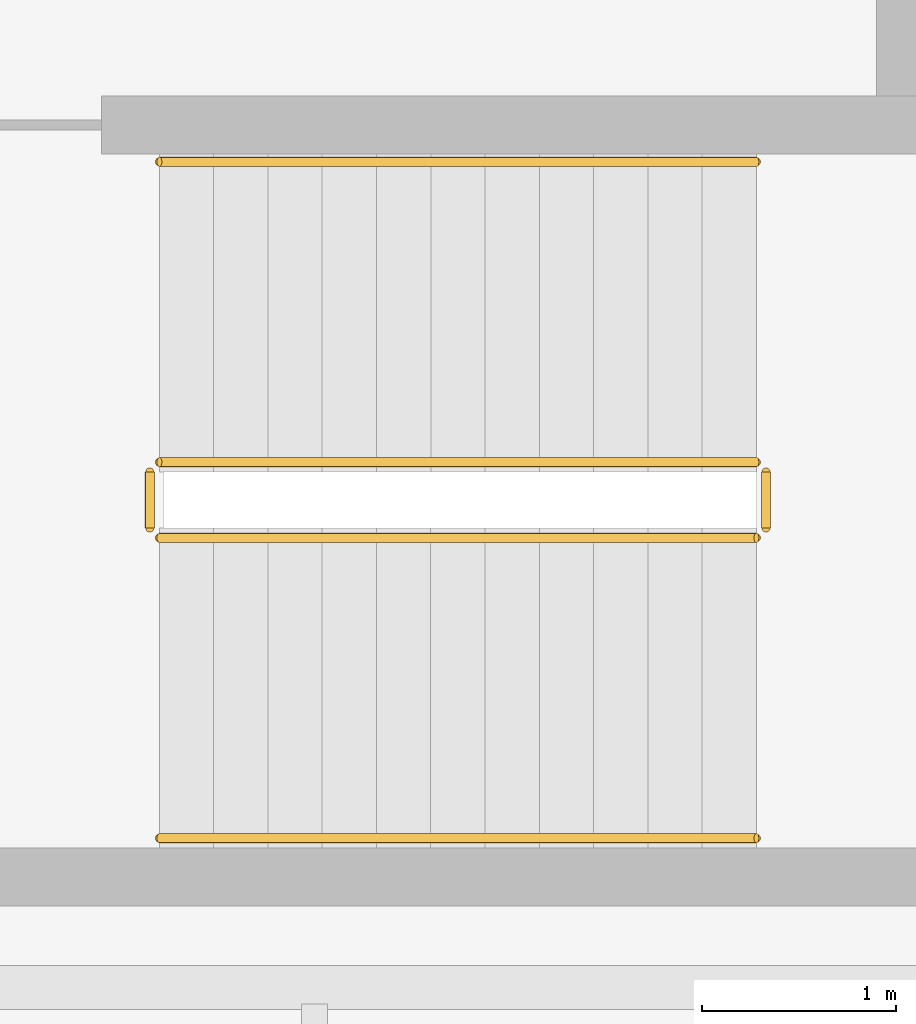
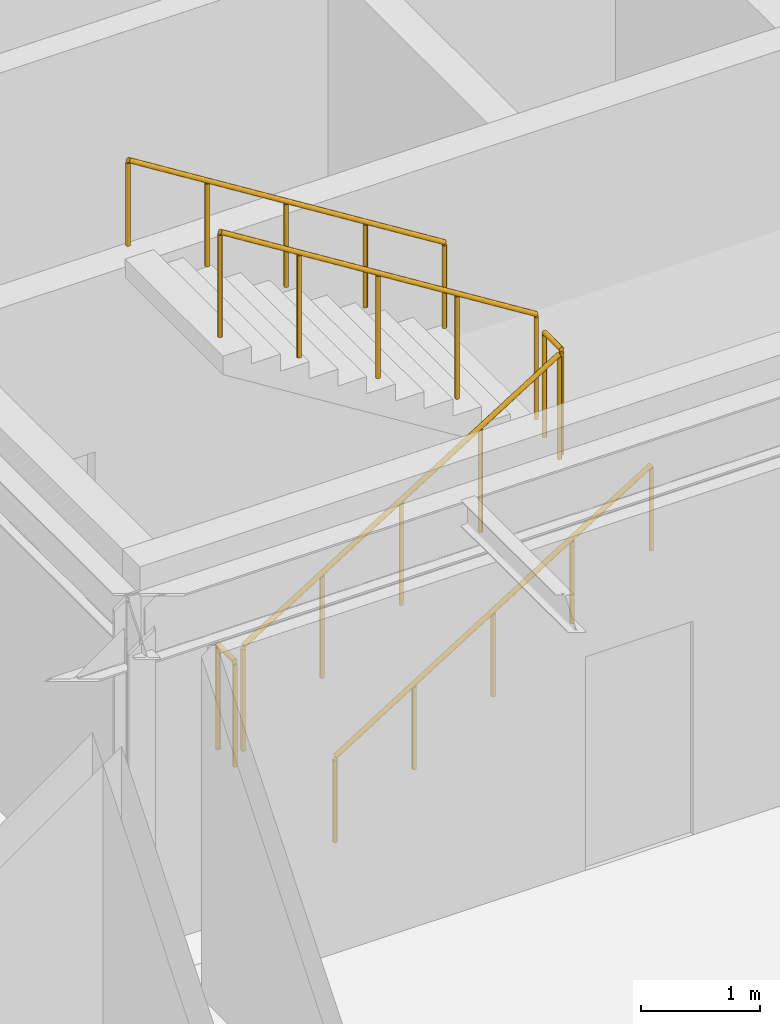
# One storey, part 38 of 39: 6 railings.
"""IFC4 building model written with IfcOpenShell, lengths in metres."""

from ifc_helpers import new_model, si_unit, direction, frame, origin, origin_2d, place, context, subcontext, project, spatial, circle, extrude, material, type_object, element, save


model = new_model("IFC4")

# Units and contexts
model_context = context("Model", 3, precision=1e-05, world=origin(), true_north=direction((0.0, 1.0)))
body_context = subcontext(model_context, "Body", "Model", "MODEL_VIEW")
ifc_project = project(units=[si_unit("LENGTHUNIT", "METRE"), si_unit("AREAUNIT", "SQUARE_METRE"), si_unit("VOLUMEUNIT", "CUBIC_METRE"), si_unit("PLANEANGLEUNIT", "RADIAN"), si_unit("MASSUNIT", "GRAM", prefix="KILO")], contexts=[model_context])

# Site, building, storey
site_placement = place(None, origin())
site = spatial("IfcSite", under=ifc_project, at=site_placement, CompositionType="ELEMENT")
building_placement = place(site_placement, origin())
building = spatial("IfcBuilding", under=site, at=building_placement, Name="Coralgate Yard Interchange", CompositionType="ELEMENT")
storey_placement = place(building_placement, frame((0.0, 0.0, 18.89990234375)))
storey = spatial("IfcBuildingStorey", under=building, at=storey_placement, Name="L04", CompositionType="ELEMENT", Elevation=18.89990234375)

# Railings
ifc_material_1 = material(Name="Grade 316 marine stainless steel and toughened glass balustrade", Category="steel")
railing_type_1 = type_object("IfcRailingType", Name="RLG-GD1100", PredefinedType="BALUSTRADE", material=ifc_material_1)
railing_1_placement = place(storey_placement, frame((50.39990234375, 11.919921875, 0.175048828125)))
element("IfcRailing", 1, at=railing_1_placement, inside=storey, type_object=railing_type_1, Name="L04 ST-02 stair guard 1", PredefinedType="BALUSTRADE", context=body_context, shape_type="SweptSolid", body=[
    extrude(circle(Radius=0.02392578125, at=origin_2d()), frame((0.0, 0.0, 1.076171875), z_axis=(0.847998304005, 0.0, 0.529998940003), x_axis=(0.0, 1.0, 0.0)), (0.0, 0.0, 1.0), 3.632080078125),
    extrude(circle(Radius=0.02099609375, at=origin_2d()), origin(), (0.0, 0.0, 1.0), 1.051513671875),
    extrude(circle(Radius=0.02099609375, at=origin_2d()), frame((0.77001953125, 0.0, 0.481201171875)), (0.0, 0.0, 1.0), 1.051513671875),
    extrude(circle(Radius=0.02099609375, at=origin_2d()), frame((1.5400390625, 0.0, 0.96240234375)), (0.0, 0.0, 1.0), 1.051513671875),
    extrude(circle(Radius=0.02099609375, at=origin_2d()), frame((2.31005859375, 0.0, 1.44384765625)), (0.0, 0.0, 1.0), 1.051513671875),
    extrude(circle(Radius=0.02099609375, at=origin_2d()), frame((3.080078125, 0.0, 1.925048828125)), (0.0, 0.0, 1.0), 1.051513671875),
])
railing_2_placement = place(storey_placement, frame((53.530029296875, 11.969970703125, 2.10009765625)))
element("IfcRailing", 2, at=railing_2_placement, inside=storey, type_object=railing_type_1, Name="L04 ST-02 stair guard 2", PredefinedType="BALUSTRADE", context=body_context, shape_type="SweptSolid", body=[
    extrude(circle(Radius=0.02392578125, at=origin_2d()), frame((0.0, 0.0, 1.076171875), z_axis=(0.0, 1.0, 0.0), x_axis=(-1.0, 0.0, 0.0)), (0.0, 0.0, 1.0), 0.2900390625),
    extrude(circle(Radius=0.02099609375, at=origin_2d()), origin(), (0.0, 0.0, 1.0), 1.051513671875),
    extrude(circle(Radius=0.02099609375, at=origin_2d()), frame((0.0, 0.2900390625, 0.0)), (0.0, 0.0, 1.0), 1.051513671875),
])
railing_3_placement = place(storey_placement, frame((53.47998046875, 12.31005859375, 2.275146484375)))
element("IfcRailing", 3, at=railing_3_placement, inside=storey, type_object=railing_type_1, Name="L04 ST-02 stair guard 3", PredefinedType="BALUSTRADE", context=body_context, shape_type="SweptSolid", body=[
    extrude(circle(Radius=0.02392578125, at=origin_2d()), frame((0.0, 0.0, 1.076171875), z_axis=(-0.847998304005, 0.0, 0.529998940003), x_axis=(0.0, -1.0, 0.0)), (0.0, 0.0, 1.0), 3.632080078125),
    extrude(circle(Radius=0.02099609375, at=origin_2d()), origin(), (0.0, 0.0, 1.0), 1.051513671875),
    extrude(circle(Radius=0.02099609375, at=origin_2d()), frame((-0.77001953125, 0.0, 0.481201171875)), (0.0, 0.0, 1.0), 1.051513671875),
    extrude(circle(Radius=0.02099609375, at=origin_2d()), frame((-1.5400390625, 0.0, 0.96240234375)), (0.0, 0.0, 1.0), 1.051513671875),
    extrude(circle(Radius=0.02099609375, at=origin_2d()), frame((-2.31005859375, 0.0, 1.44384765625)), (0.0, 0.0, 1.0), 1.051513671875),
    extrude(circle(Radius=0.02099609375, at=origin_2d()), frame((-3.080078125, 0.0, 1.925048828125)), (0.0, 0.0, 1.0), 1.051513671875),
])
railing_4_placement = place(storey_placement, frame((50.35009765625, 11.969970703125, 0.0)))
element("IfcRailing", 4, at=railing_4_placement, inside=storey, type_object=railing_type_1, Name="L04 ST-02 stair guard 4", PredefinedType="BALUSTRADE", context=body_context, shape_type="SweptSolid", body=[
    extrude(circle(Radius=0.02392578125, at=origin_2d()), frame((0.0, 0.0, 1.076171875), z_axis=(0.0, 1.0, 0.0), x_axis=(-1.0, 0.0, 0.0)), (0.0, 0.0, 1.0), 0.2900390625),
    extrude(circle(Radius=0.02099609375, at=origin_2d()), origin(), (0.0, 0.0, 1.0), 1.051513671875),
    extrude(circle(Radius=0.02099609375, at=origin_2d()), frame((0.0, 0.2900390625, 0.0)), (0.0, 0.0, 1.0), 1.051513671875),
])
ifc_material_2 = material(Name="Grade 316 marine stainless steel", Category="steel")
railing_type_2 = type_object("IfcRailingType", Name="RLG-HR900", PredefinedType="HANDRAIL", material=ifc_material_2)
railing_5_placement = place(storey_placement, frame((50.39990234375, 10.3701171875, 0.175048828125)))
element("IfcRailing", 5, at=railing_5_placement, inside=storey, type_object=railing_type_2, Name="L04 ST-02 stair handrail 1", PredefinedType="HANDRAIL", context=body_context, shape_type="SweptSolid", body=[
    extrude(circle(Radius=0.02392578125, at=origin_2d()), frame((0.0, 0.0, 0.8759765625), z_axis=(0.847998304005, 0.0, 0.529998940003), x_axis=(0.0, 1.0, 0.0)), (0.0, 0.0, 1.0), 3.632080078125),
    extrude(circle(Radius=0.02099609375, at=origin_2d()), origin(), (0.0, 0.0, 1.0), 0.851318359375),
    extrude(circle(Radius=0.02099609375, at=origin_2d()), frame((0.77001953125, 0.0, 0.481201171875)), (0.0, 0.0, 1.0), 0.851318359375),
    extrude(circle(Radius=0.02099609375, at=origin_2d()), frame((1.5400390625, 0.0, 0.96240234375)), (0.0, 0.0, 1.0), 0.851318359375),
    extrude(circle(Radius=0.02099609375, at=origin_2d()), frame((2.31005859375, 0.0, 1.44384765625)), (0.0, 0.0, 1.0), 0.851318359375),
    extrude(circle(Radius=0.02099609375, at=origin_2d()), frame((3.080078125, 0.0, 1.925048828125)), (0.0, 0.0, 1.0), 0.851318359375),
])
railing_6_placement = place(storey_placement, frame((53.47998046875, 13.860107421875, 2.275146484375)))
element("IfcRailing", 6, at=railing_6_placement, inside=storey, type_object=railing_type_2, Name="L04 ST-02 stair handrail 2", PredefinedType="HANDRAIL", context=body_context, shape_type="SweptSolid", body=[
    extrude(circle(Radius=0.02392578125, at=origin_2d()), frame((0.0, 0.0, 0.8759765625), z_axis=(-0.847998304005, 0.0, 0.529998940003), x_axis=(0.0, -1.0, 0.0)), (0.0, 0.0, 1.0), 3.632080078125),
    extrude(circle(Radius=0.02099609375, at=origin_2d()), origin(), (0.0, 0.0, 1.0), 0.851318359375),
    extrude(circle(Radius=0.02099609375, at=origin_2d()), frame((-0.77001953125, 0.0, 0.481201171875)), (0.0, 0.0, 1.0), 0.851318359375),
    extrude(circle(Radius=0.02099609375, at=origin_2d()), frame((-1.5400390625, 0.0, 0.96240234375)), (0.0, 0.0, 1.0), 0.851318359375),
    extrude(circle(Radius=0.02099609375, at=origin_2d()), frame((-2.31005859375, 0.0, 1.44384765625)), (0.0, 0.0, 1.0), 0.851318359375),
    extrude(circle(Radius=0.02099609375, at=origin_2d()), frame((-3.080078125, 0.0, 1.925048828125)), (0.0, 0.0, 1.0), 0.851318359375),
])

save(model, "model.ifc")
